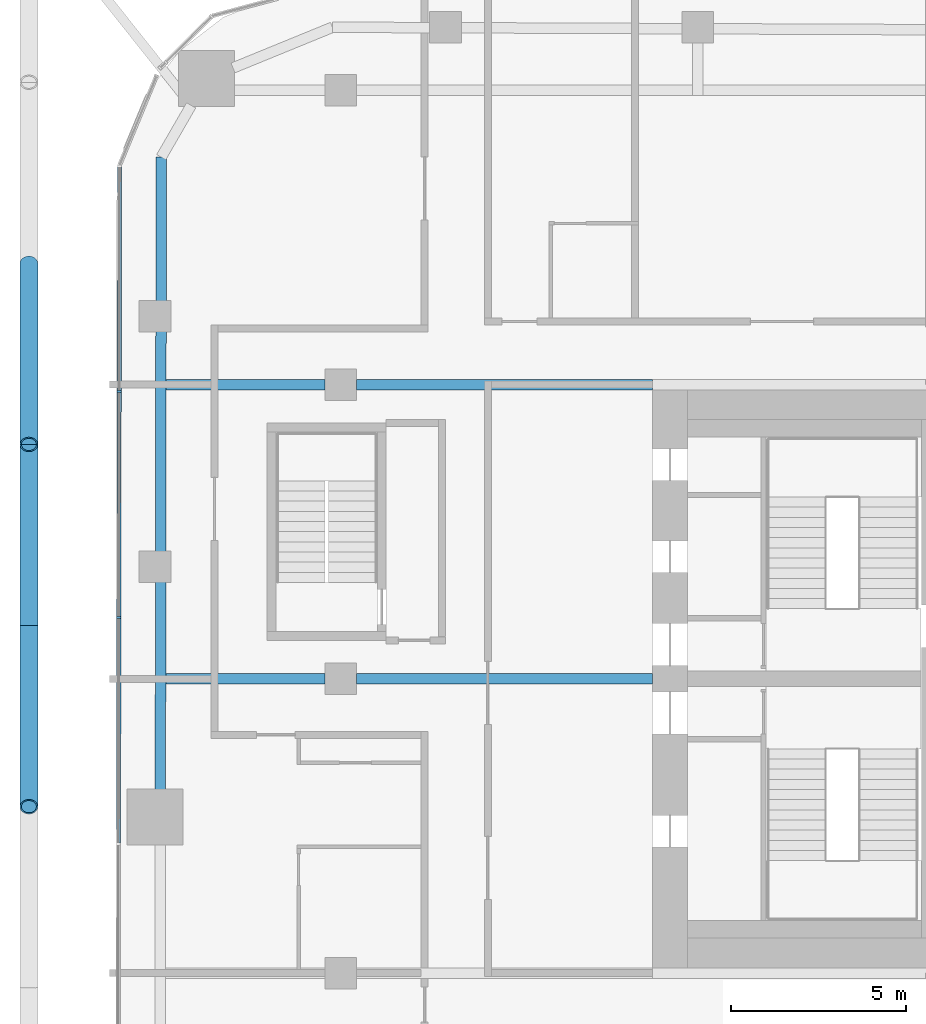
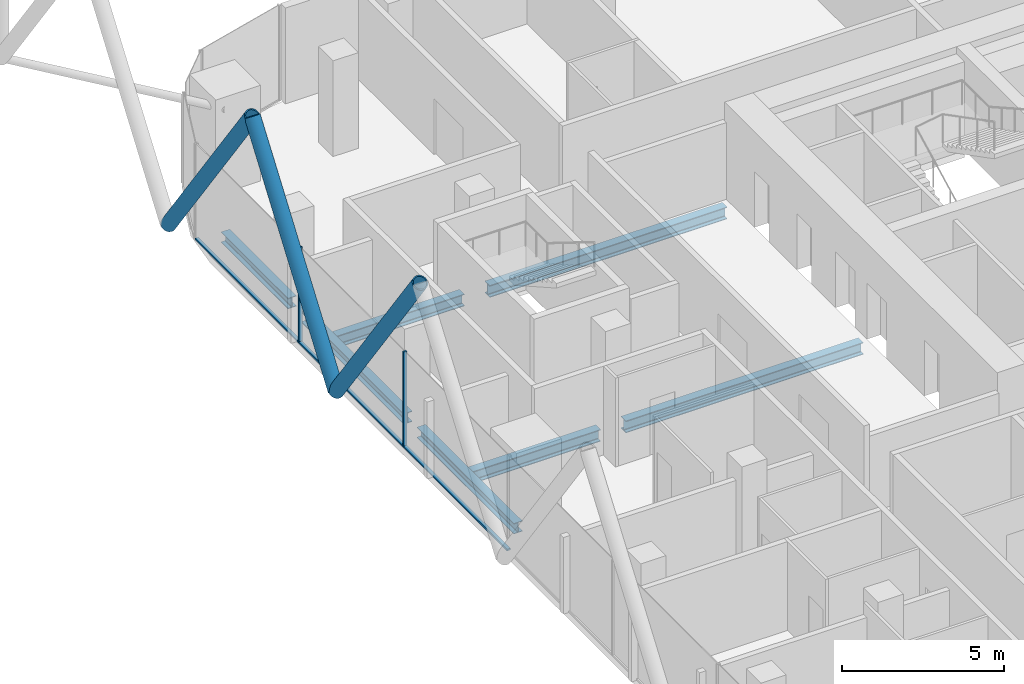
# One storey, part 9 of 33: 8 members, 7 beams, 1 element without a shape of its own.
"""IFC4 building model written with IfcOpenShell, lengths in metres."""

from ifc_helpers import new_model, si_unit, direction, frame, origin, origin_2d, place, context, subcontext, project, spatial, rectangle, hollow_circle, i_section, extrude, material, layer, layer_set, material_profile, profile_set, type_object, element, aggregate, save


model = new_model("IFC4")

# Units and contexts
model_context = context("Model", 3, precision=1e-05, world=origin(), true_north=direction((0.0, 1.0)))
body_context = subcontext(model_context, "Body", "Model", "MODEL_VIEW")
ifc_project = project(units=[si_unit("LENGTHUNIT", "METRE"), si_unit("AREAUNIT", "SQUARE_METRE"), si_unit("VOLUMEUNIT", "CUBIC_METRE"), si_unit("PLANEANGLEUNIT", "RADIAN"), si_unit("MASSUNIT", "GRAM", prefix="KILO")], contexts=[model_context])

# Site, building, storey
site_placement = place(None, origin())
site = spatial("IfcSite", under=ifc_project, at=site_placement, CompositionType="ELEMENT")
building_placement = place(site_placement, origin())
building = spatial("IfcBuilding", under=site, at=building_placement, Name="Marenta Gate Hotel Tower", CompositionType="ELEMENT")
storey_placement = place(building_placement, frame((0.0, 0.0, 151.699951171875)))
storey = spatial("IfcBuildingStorey", under=building, at=storey_placement, Name="L35", CompositionType="ELEMENT", Elevation=151.699951171875)

# Members
ifc_material_1 = material(Name="Steel S355J2W", Category="steel")
ifc_material_profile_1 = material_profile(ifc_material_1, hollow_circle(Radius=0.25390625, WallThickness=0.0400390625, at=origin_2d()), Name="CHS 508x40")
ifc_profile_set_1 = profile_set([ifc_material_profile_1], Name="Steel S355J2W")
member_type_1 = type_object("IfcMemberType", Name="Diagrid diagonal Z2 CHS 508x40", PredefinedType="BRACE", material=ifc_profile_set_1)
member_1_placement = place(storey_placement, frame((-29.89990234375, 9.919921875, 3.14013671875), z_axis=(0.0, -0.583260841117, 0.812284919975), x_axis=(1.0, 0.0, 0.0)))
element("IfcMember", 1, at=member_1_placement, inside=storey, type_object=member_type_1, Name="L35-DG-30", PredefinedType="BRACE", context=body_context, shape_type="SweptSolid", body=[
    extrude(hollow_circle(Radius=0.25390625, WallThickness=0.0400390625, at=origin_2d()), origin(), (0.0, 0.0, 1.0), 8.86376953125),
])
member_2_placement = place(storey_placement, frame((-29.89990234375, 9.919921875, 3.14013671875), z_axis=(0.0, 0.583279014058, 0.812271870595), x_axis=(-1.0, 0.0, 0.0)))
element("IfcMember", 2, at=member_2_placement, inside=storey, type_object=member_type_1, Name="L35-DG-31", PredefinedType="BRACE", context=body_context, shape_type="SweptSolid", body=[
    extrude(hollow_circle(Radius=0.25390625, WallThickness=0.0400390625, at=origin_2d()), origin(), (0.0, 0.0, 1.0), 8.864013671875),
])
member_3_placement = place(storey_placement, frame((-29.89990234375, 20.260009765625, 3.14013671875), z_axis=(0.0, -0.583260841117, 0.812284919975), x_axis=(1.0, 0.0, 0.0)))
element("IfcMember", 3, at=member_3_placement, inside=storey, type_object=member_type_1, Name="L35-DG-32", PredefinedType="BRACE", context=body_context, shape_type="SweptSolid", body=[
    extrude(hollow_circle(Radius=0.25390625, WallThickness=0.0400390625, at=origin_2d()), origin(), (0.0, 0.0, 1.0), 8.86376953125),
])

# Beams
ifc_material_2 = material(Name="Steel S355", Category="steel")
ifc_material_profile_2 = material_profile(ifc_material_2, i_section(OverallWidth=0.300048828125, OverallDepth=0.39990234375, WebThickness=0.013427734375, FlangeThickness=0.02392578125, FilletRadius=0.027099609375, at=origin_2d()), Name="HEB 400")
ifc_profile_set_2 = profile_set([ifc_material_profile_2], Name="Steel S355")
beam_type_1 = type_object("IfcBeamType", Name="Edge beam HEB 400", PredefinedType="SPANDREL", material=ifc_profile_set_2)
beam_1_placement = place(storey_placement, frame((-26.146484375, 5.2099609375, -0.4599609375), z_axis=(0.001387357379, 0.999999037619, 0.0), x_axis=(-0.999999037619, 0.001387357379, 0.0)))
element("IfcBeam", 4, at=beam_1_placement, inside=storey, type_object=beam_type_1, Name="L35-EB-8", PredefinedType="SPANDREL", context=body_context, shape_type="SweptSolid", body=[
    extrude(i_section(OverallWidth=0.300048828125, OverallDepth=0.39990234375, WebThickness=0.013427734375, FlangeThickness=0.02392578125, FilletRadius=0.027099609375, at=origin_2d()), origin(), (0.0, 0.0, 1.0), 5.983154296875),
])
beam_2_placement = place(storey_placement, frame((-26.136962890625, 12.01318359375, -0.4599609375), z_axis=(0.001387763206, 0.999999037056, 0.0), x_axis=(-0.999999037056, 0.001387763206, 0.0)))
element("IfcBeam", 5, at=beam_2_placement, inside=storey, type_object=beam_type_1, Name="L35-EB-9", PredefinedType="SPANDREL", context=body_context, shape_type="SweptSolid", body=[
    extrude(i_section(OverallWidth=0.300048828125, OverallDepth=0.39990234375, WebThickness=0.013427734375, FlangeThickness=0.02392578125, FilletRadius=0.027099609375, at=origin_2d()), origin(), (0.0, 0.0, 1.0), 6.333251953125),
])
beam_3_placement = place(storey_placement, frame((-26.126953125, 19.16650390625, -0.4599609375), z_axis=(0.001361187116, 0.999999073584, 0.0), x_axis=(-0.999999073584, 0.001361187116, 0.0)))
element("IfcBeam", 6, at=beam_3_placement, inside=storey, type_object=beam_type_1, Name="L35-EB-10", PredefinedType="SPANDREL", context=body_context, shape_type="SweptSolid", body=[
    extrude(i_section(OverallWidth=0.300048828125, OverallDepth=0.39990234375, WebThickness=0.013427734375, FlangeThickness=0.02392578125, FilletRadius=0.027099609375, at=origin_2d()), origin(), (0.0, 0.0, 1.0), 4.125244140625),
])
ifc_material_3 = material(Name="Steel S355", Category="steel")
ifc_material_profile_3 = material_profile(ifc_material_3, i_section(OverallWidth=0.300048828125, OverallDepth=0.449951171875, WebThickness=0.013916015625, FlangeThickness=0.02587890625, FilletRadius=0.027099609375, at=origin_2d()), Name="HEB 450")
ifc_profile_set_3 = profile_set([ifc_material_profile_3], Name="Steel S355")
beam_type_2 = type_object("IfcBeamType", Name="Girder HEB 450", PredefinedType="BEAM", material=ifc_profile_set_3)
beam_4_placement = place(storey_placement, frame((-25.991943359375, 8.39990234375, -0.48486328125), z_axis=(1.0, 0.0, 0.0), x_axis=(0.0, 1.0, 0.0)))
element("IfcBeam", 7, at=beam_4_placement, inside=storey, type_object=beam_type_2, Name="L35-GD-20", PredefinedType="BEAM", context=body_context, shape_type="SweptSolid", body=[
    extrude(i_section(OverallWidth=0.300048828125, OverallDepth=0.449951171875, WebThickness=0.013916015625, FlangeThickness=0.02587890625, FilletRadius=0.027099609375, at=origin_2d()), origin(), (0.0, 0.0, 1.0), 4.5419921875),
])
beam_5_placement = place(storey_placement, frame((-20.550048828125, 8.39990234375, -0.48486328125), z_axis=(1.0, 0.0, 0.0), x_axis=(0.0, 1.0, 0.0)))
element("IfcBeam", 8, at=beam_5_placement, inside=storey, type_object=beam_type_2, Name="L35-GD-21", PredefinedType="BEAM", context=body_context, shape_type="SweptSolid", body=[
    extrude(i_section(OverallWidth=0.300048828125, OverallDepth=0.449951171875, WebThickness=0.013916015625, FlangeThickness=0.02587890625, FilletRadius=0.027099609375, at=origin_2d()), origin(), (0.0, 0.0, 1.0), 8.449951171875),
])
beam_6_placement = place(storey_placement, frame((-25.980224609375, 16.800048828125, -0.48486328125), z_axis=(1.0, 0.0, 0.0), x_axis=(0.0, 1.0, 0.0)))
element("IfcBeam", 9, at=beam_6_placement, inside=storey, type_object=beam_type_2, Name="L35-GD-24", PredefinedType="BEAM", context=body_context, shape_type="SweptSolid", body=[
    extrude(i_section(OverallWidth=0.300048828125, OverallDepth=0.449951171875, WebThickness=0.013916015625, FlangeThickness=0.02587890625, FilletRadius=0.027099609375, at=origin_2d()), origin(), (0.0, 0.0, 1.0), 4.5302734375),
])
beam_7_placement = place(storey_placement, frame((-20.550048828125, 16.800048828125, -0.48486328125), z_axis=(1.0, 0.0, 0.0), x_axis=(0.0, 1.0, 0.0)))
element("IfcBeam", 10, at=beam_7_placement, inside=storey, type_object=beam_type_2, Name="L35-GD-25", PredefinedType="BEAM", context=body_context, shape_type="SweptSolid", body=[
    extrude(i_section(OverallWidth=0.300048828125, OverallDepth=0.449951171875, WebThickness=0.013916015625, FlangeThickness=0.02587890625, FilletRadius=0.027099609375, at=origin_2d()), origin(), (0.0, 0.0, 1.0), 8.449951171875),
])

# Curtain wall, members
ifc_material_4 = material(Name="Tinted insulated glass in bronze anodised frame", Category="glass")
ifc_layer = layer(ifc_material_4, 0.1201171875)
ifc_layer_set = layer_set([ifc_layer], Name="Tinted insulated glass in bronze anodised frame")
curtain_wall_type = type_object("IfcCurtainWallType", Name="Tower unitised curtain wall CW1", PredefinedType="NOTDEFINED", material=ifc_layer_set)
curtain_wall_placement = place(storey_placement, origin())
curtain_wall = element("IfcCurtainWall", 11, at=curtain_wall_placement, inside=storey, type_object=curtain_wall_type, Name="CW1 run G04", PredefinedType="NOTDEFINED")
ifc_material_5 = material(Name="Bronze anodised aluminium", Category="aluminium")
ifc_material_profile_4 = material_profile(ifc_material_5, rectangle(XDim=0.1201171875, YDim=0.06005859375, at=origin_2d()), Name="Mullion CW1 60x120 bronze anodised aluminium")
ifc_profile_set_4 = profile_set([ifc_material_profile_4], Name="Bronze anodised aluminium")
member_type_2 = type_object("IfcMemberType", Name="Mullion CW1 60x120 bronze anodised aluminium", PredefinedType="MULLION", material=ifc_profile_set_4)
member_4_placement = place(storey_placement, frame((-27.322509765625, 16.606201171875, 0.0), z_axis=(0.0, 0.0, 1.0), x_axis=(0.99999877375, -0.001566045546, 0.0)))
member_4 = element("IfcMember", 12, at=member_4_placement, type_object=member_type_2, Name="CW1 mullion 2", PredefinedType="MULLION", context=body_context, shape_type="SweptSolid", body=[
    extrude(rectangle(XDim=0.1201171875, YDim=0.06005859375, at=origin_2d()), origin(), (0.0, 0.0, 1.0), 3.60009765625),
])
member_5_placement = place(storey_placement, frame((-27.33251953125, 10.146240234375, 0.0), z_axis=(0.0, 0.0, 1.0), x_axis=(0.99999877375, -0.001566045546, 0.0)))
member_5 = element("IfcMember", 13, at=member_5_placement, type_object=member_type_2, Name="CW1 mullion 3", PredefinedType="MULLION", context=body_context, shape_type="SweptSolid", body=[
    extrude(rectangle(XDim=0.1201171875, YDim=0.06005859375, at=origin_2d()), origin(), (0.0, 0.0, 1.0), 3.60009765625),
])
ifc_material_6 = material(Name="Bronze anodised aluminium", Category="aluminium")
ifc_material_profile_5 = material_profile(ifc_material_6, rectangle(XDim=0.1201171875, YDim=0.06005859375, at=origin_2d()), Name="Transom CW1 60x120 bronze anodised aluminium")
ifc_profile_set_5 = profile_set([ifc_material_profile_5], Name="Bronze anodised aluminium")
member_type_3 = type_object("IfcMemberType", Name="Transom CW1 60x120 bronze anodised aluminium", PredefinedType="USERDEFINED", material=ifc_profile_set_5)
member_6_placement = place(storey_placement, frame((-27.3125, 23.006103515625, 0.030029296875), z_axis=(-0.001533093902, -0.999998824811, 0.0), x_axis=(0.999998824811, -0.001533093902, 0.0)))
member_6 = element("IfcMember", 14, at=member_6_placement, type_object=member_type_3, Name="CW1 transom 1.1", ObjectType="TRANSOM", PredefinedType="USERDEFINED", context=body_context, shape_type="SweptSolid", body=[
    extrude(rectangle(XDim=0.1201171875, YDim=0.06005859375, at=origin_2d()), origin(), (0.0, 0.0, 1.0), 6.369873046875),
])
member_7_placement = place(storey_placement, frame((-27.322509765625, 16.576171875, 0.030029296875), z_axis=(-0.001564047831, -0.999998776876, 0.0), x_axis=(0.999998776876, -0.001564047831, 0.0)))
member_7 = element("IfcMember", 15, at=member_7_placement, type_object=member_type_3, Name="CW1 transom 2.1", ObjectType="TRANSOM", PredefinedType="USERDEFINED", context=body_context, shape_type="SweptSolid", body=[
    extrude(rectangle(XDim=0.1201171875, YDim=0.06005859375, at=origin_2d()), origin(), (0.0, 0.0, 1.0), 6.39990234375),
])
member_8_placement = place(storey_placement, frame((-27.33251953125, 10.1162109375, 0.030029296875), z_axis=(-0.001564047831, -0.999998776876, 0.0), x_axis=(0.999998776876, -0.001564047831, 0.0)))
member_8 = element("IfcMember", 16, at=member_8_placement, type_object=member_type_3, Name="CW1 transom 3.1", ObjectType="TRANSOM", PredefinedType="USERDEFINED", context=body_context, shape_type="SweptSolid", body=[
    extrude(rectangle(XDim=0.1201171875, YDim=0.06005859375, at=origin_2d()), origin(), (0.0, 0.0, 1.0), 6.39990234375),
])
aggregate(curtain_wall, [member_4, member_5, member_6, member_7, member_8])

save(model, "model.ifc")
